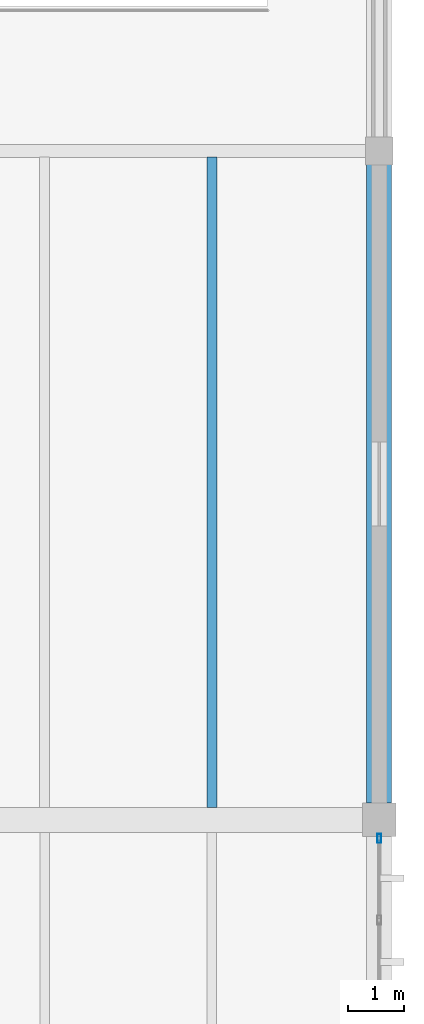
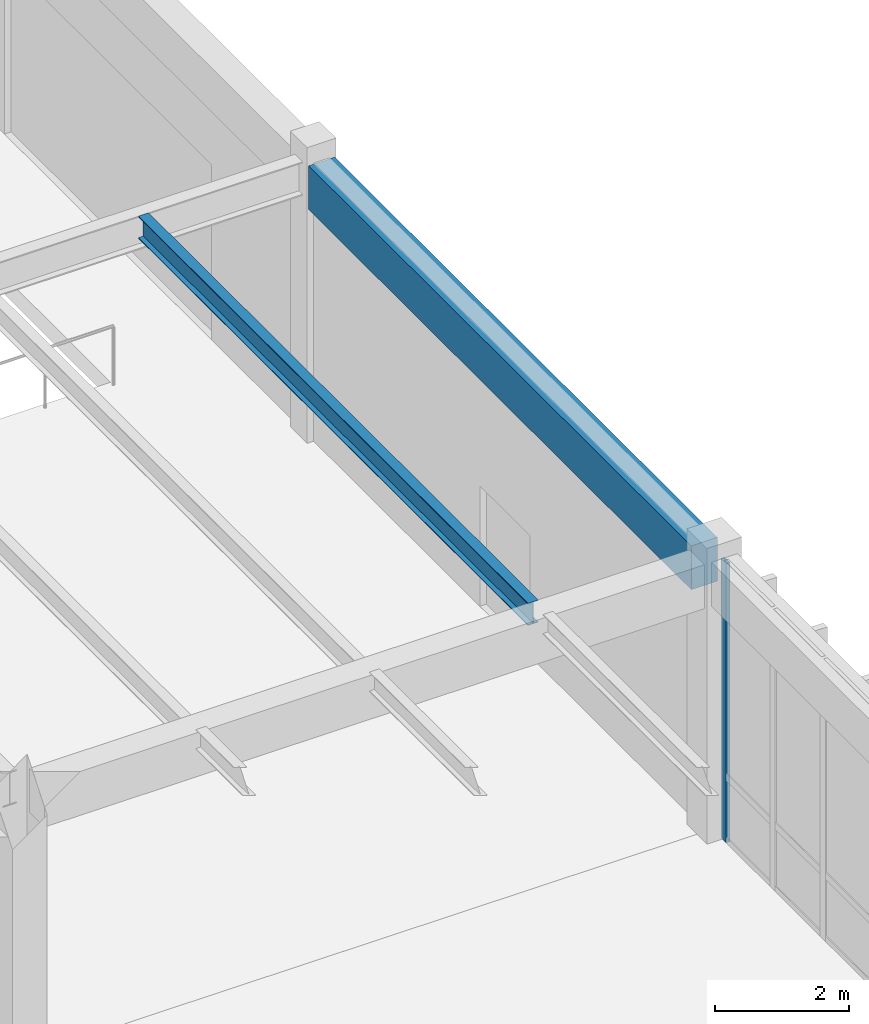
# One storey, part 126 of 188: 2 beams, 1 member, 1 element without a shape of its own.
"""IFC4 building model written with IfcOpenShell, lengths in metres."""

from ifc_helpers import new_model, si_unit, direction, frame, origin, origin_2d, place, context, subcontext, project, spatial, rectangle, hollow_rectangle, i_section, extrude, material, layer, layer_set, material_profile, profile_set, type_object, element, aggregate, save


model = new_model("IFC4")

# Units and contexts
model_context = context("Model", 3, precision=1e-05, world=origin(), true_north=direction((0.0, 1.0)))
body_context = subcontext(model_context, "Body", "Model", "MODEL_VIEW")
ifc_project = project(units=[si_unit("LENGTHUNIT", "METRE"), si_unit("AREAUNIT", "SQUARE_METRE"), si_unit("VOLUMEUNIT", "CUBIC_METRE"), si_unit("PLANEANGLEUNIT", "RADIAN"), si_unit("MASSUNIT", "GRAM", prefix="KILO")], contexts=[model_context])

# Site, building, storey
site_placement = place(None, origin())
site = spatial("IfcSite", under=ifc_project, at=site_placement, CompositionType="ELEMENT")
building_placement = place(site_placement, origin())
building = spatial("IfcBuilding", under=site, at=building_placement, Name="Pandanus Reach Market Hall", CompositionType="ELEMENT")
storey_placement = place(building_placement, origin())
storey = spatial("IfcBuildingStorey", under=building, at=storey_placement, Name="L00", CompositionType="ELEMENT", Elevation=0.0)

# Beam
ifc_material_1 = material(Name="Concrete N40 (40 MPa)", Category="concrete")
ifc_material_profile_1 = material_profile(ifc_material_1, rectangle(XDim=0.449951171875, YDim=0.800048828125, at=origin_2d()), Name="RC450x800", Category="LoadBearing")
ifc_profile_set_1 = profile_set([ifc_material_profile_1], Name="Concrete N40 (40 MPa)")
beam_type_1 = type_object("IfcBeamType", Name="BM-RC450-E", PredefinedType="SPANDREL", material=ifc_profile_set_1)
beam_1_placement = place(storey_placement, frame((180.0, 96.298095703125, 4.659912109375), z_axis=(0.0, 1.0, 0.0), x_axis=(-1.0, 0.0, 0.0)))
element("IfcBeam", 1, at=beam_1_placement, inside=storey, type_object=beam_type_1, Name="Framing beam BM-RC450-E L00.801", PredefinedType="SPANDREL", context=body_context, shape_type="SweptSolid", body=[
    extrude(rectangle(XDim=0.449951171875, YDim=0.800048828125, at=origin_2d()), origin(), (0.0, 0.0, 1.0), 11.453857421875),
])

# Curtain wall, member
ifc_material_2 = material(Name="Bronze anodised aluminium and low-E glass", Category="aluminium")
ifc_layer = layer(ifc_material_2, 0.159912109375, Name="CW-25")
ifc_layer_set = layer_set([ifc_layer], Name="Bronze anodised aluminium and low-E glass")
curtain_wall_type = type_object("IfcCurtainWallType", Name="CW-25", PredefinedType="NOTDEFINED", material=ifc_layer_set)
curtain_wall_placement = place(storey_placement, origin())
curtain_wall = element("IfcCurtainWall", 2, at=curtain_wall_placement, inside=storey, type_object=curtain_wall_type, Name="Glazed curtain wall CW-25 CW-0074", PredefinedType="NOTDEFINED")
ifc_material_3 = material(Name="Bronze anodised aluminium", Category="aluminium")
ifc_material_profile_2 = material_profile(ifc_material_3, hollow_rectangle(XDim=0.06494140625, YDim=0.159912109375, WallThickness=0.00390625, at=origin_2d()), Name="ALU65x160", Category="LoadBearing")
ifc_profile_set_2 = profile_set([ifc_material_profile_2], Name="Bronze anodised aluminium")
member_type = type_object("IfcMemberType", Name="CW-M1", PredefinedType="MULLION", material=ifc_profile_set_2)
member_placement = place(storey_placement, frame((180.0, 95.66748046875, 0.0), z_axis=(0.0, 0.0, 1.0), x_axis=(-1.0, 0.0, 0.0)))
member = element("IfcMember", 3, at=member_placement, type_object=member_type, Name="CW-25 mullion 7", PredefinedType="MULLION", context=body_context, shape_type="SweptSolid", body=[
    extrude(hollow_rectangle(XDim=0.06494140625, YDim=0.159912109375, WallThickness=0.00390625, at=origin_2d()), origin(), (0.0, 0.0, 1.0), 5.10009765625),
])
aggregate(curtain_wall, [member])

# Beam
ifc_material_4 = material(Name="Steel Grade 350 (350 MPa)", Category="steel")
ifc_material_profile_3 = material_profile(ifc_material_4, i_section(OverallWidth=0.177978515625, OverallDepth=0.406005859375, WebThickness=0.0078125, FlangeThickness=0.0126953125, at=origin_2d()), Name="410UB59.7", Category="LoadBearing")
ifc_profile_set_3 = profile_set([ifc_material_profile_3], Name="Steel Grade 350 (350 MPa)")
beam_type_2 = type_object("IfcBeamType", Name="JS-UB410-I", PredefinedType="JOIST", material=ifc_profile_set_3)
beam_2_placement = place(storey_placement, frame((177.0, 96.222900390625, 4.856689453125), z_axis=(0.0, 1.0, 0.0), x_axis=(-1.0, 0.0, 0.0)))
element("IfcBeam", 4, at=beam_2_placement, inside=storey, type_object=beam_type_2, Name="Secondary joist JS-UB410-I L00.847", PredefinedType="JOIST", context=body_context, shape_type="SweptSolid", body=[
    extrude(i_section(OverallWidth=0.177978515625, OverallDepth=0.406005859375, WebThickness=0.0078125, FlangeThickness=0.0126953125, at=origin_2d()), origin(), (0.0, 0.0, 1.0), 11.66455078125),
])

save(model, "model.ifc")
